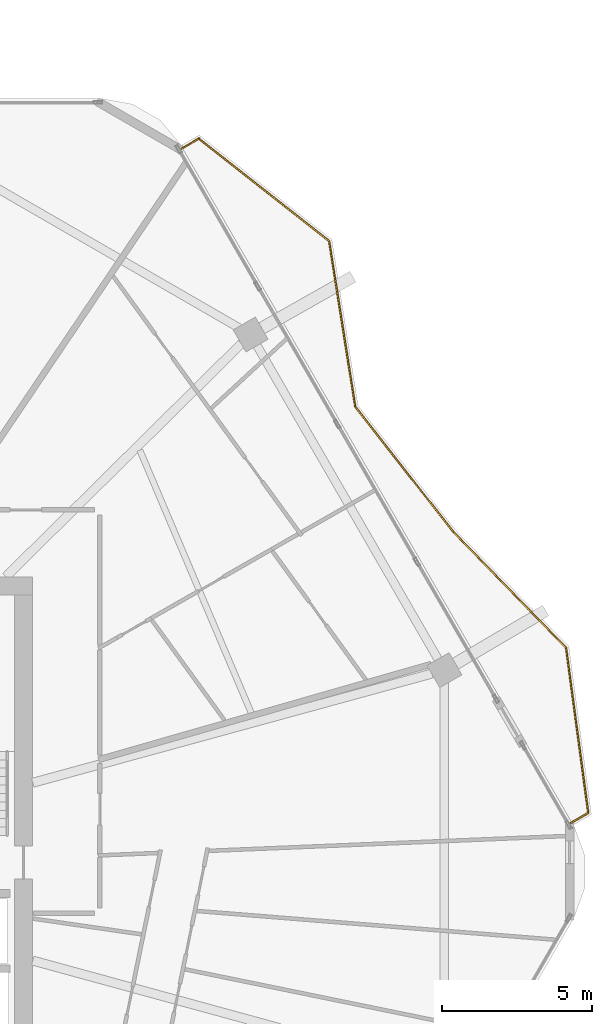
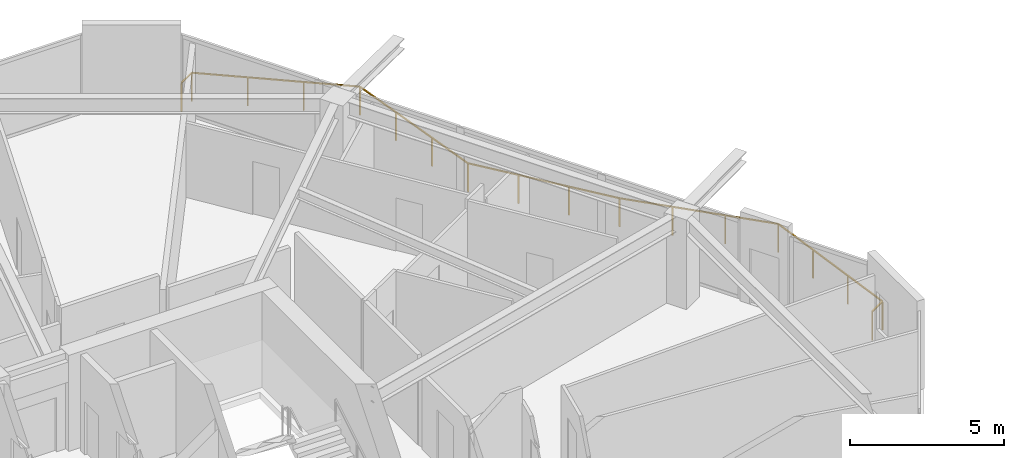
# One storey, part 26 of 26: 1 railing.
"""IFC4 building model written with IfcOpenShell, lengths in metres."""

from ifc_helpers import new_model, si_unit, direction, frame, origin, origin_2d, place, context, subcontext, project, spatial, rectangle, extrude, material, type_object, element, save


model = new_model("IFC4")

# Units and contexts
model_context = context("Model", 3, precision=1e-05, world=origin(), true_north=direction((0.0, 1.0)))
body_context = subcontext(model_context, "Body", "Model", "MODEL_VIEW")
ifc_project = project(units=[si_unit("LENGTHUNIT", "METRE"), si_unit("AREAUNIT", "SQUARE_METRE"), si_unit("VOLUMEUNIT", "CUBIC_METRE"), si_unit("PLANEANGLEUNIT", "RADIAN"), si_unit("MASSUNIT", "GRAM", prefix="KILO")], contexts=[model_context])

# Site, building, storey
site_placement = place(None, origin())
site = spatial("IfcSite", under=ifc_project, at=site_placement, CompositionType="ELEMENT")
building_placement = place(site_placement, origin())
building = spatial("IfcBuilding", under=site, at=building_placement, Name="Zuhravey Tower", CompositionType="ELEMENT")
storey_placement = place(building_placement, frame((0.0, 0.0, 295.800048828125)))
storey = spatial("IfcBuildingStorey", under=building, at=storey_placement, Name="L75", CompositionType="ELEMENT", Elevation=295.800048828125)

# Railing
ifc_material = material(Name="Stainless steel 316 and laminated glass", Category="steel")
railing_type = type_object("IfcRailingType", Name="Balcony & Terrace Guardrail 1150", PredefinedType="BALUSTRADE", material=ifc_material)
railing_placement = place(storey_placement, frame((51.74169921875, 56.031982421875, 0.0)))
element("IfcRailing", 1, at=railing_placement, inside=storey, type_object=railing_type, Name="L75 Face 1 Wave Balcony Guardrail GR1", PredefinedType="BALUSTRADE", context=body_context, shape_type="SweptSolid", body=[
    extrude(rectangle(XDim=0.048095703125, YDim=0.048095703125, at=origin_2d()), frame((0.001708984375, 0.0009765625, 1.1259765625), z_axis=(0.865931497966, 0.500162614387, 0.0), x_axis=(-0.500162614387, 0.865931497966, 0.0)), (0.0, 0.0, 1.0), 0.668212890625),
    extrude(rectangle(XDim=0.048095703125, YDim=0.048095703125, at=origin_2d()), frame((0.58349609375, 0.3349609375, 1.1259765625), z_axis=(0.785703061159, -0.618603830966, 0.0), x_axis=(0.618603830966, 0.785703061159, 0.0)), (0.0, 0.0, 1.0), 5.507080078125),
    extrude(rectangle(XDim=0.048095703125, YDim=0.048095703125, at=origin_2d()), frame((4.912353515625, -3.074951171875, 1.1259765625), z_axis=(0.155879378869, -0.987776097728, 0.0), x_axis=(0.987776097728, 0.155879378869, 0.0)), (0.0, 0.0, 1.0), 5.57177734375),
    extrude(rectangle(XDim=0.048095703125, YDim=0.048095703125, at=origin_2d()), frame((5.782470703125, -8.58203125, 1.1259765625), z_axis=(0.616816111332, -0.787107289257, 0.0), x_axis=(0.787107289257, 0.616816111332, 0.0)), (0.0, 0.0, 1.0), 5.296142578125),
    extrude(rectangle(XDim=0.048095703125, YDim=0.048095703125, at=origin_2d()), frame((9.052001953125, -12.75390625, 1.1259765625), z_axis=(0.697744170249, -0.716347033835, 0.0), x_axis=(0.716347033835, 0.697744170249, 0.0)), (0.0, 0.0, 1.0), 5.3505859375),
    extrude(rectangle(XDim=0.048095703125, YDim=0.048095703125, at=origin_2d()), frame((12.786865234375, -16.590087890625, 1.1259765625), z_axis=(0.133173947443, -0.991092679684, 0.0), x_axis=(0.991092679684, 0.133173947443, 0.0)), (0.0, 0.0, 1.0), 5.5361328125),
    extrude(rectangle(XDim=0.048095703125, YDim=0.048095703125, at=origin_2d()), frame((13.522705078125, -22.079833984375, 1.1259765625), z_axis=(-0.866137275136, -0.499806183056, 0.0), x_axis=(0.499806183056, -0.866137275136, 0.0)), (0.0, 0.0, 1.0), 0.669189453125),
    extrude(rectangle(XDim=0.0419921875, YDim=0.0419921875, at=origin_2d()), origin(), (0.0, 0.0, 1.0), 1.099853515625),
    extrude(rectangle(XDim=0.0419921875, YDim=0.0419921875, at=origin_2d()), frame((0.58203125, 0.336181640625, 0.0)), (0.0, 0.0, 1.0), 1.099853515625),
    extrude(rectangle(XDim=0.0419921875, YDim=0.0419921875, at=origin_2d()), frame((2.025390625, -0.80029296875, 0.0)), (0.0, 0.0, 1.0), 1.099853515625),
    extrude(rectangle(XDim=0.0419921875, YDim=0.0419921875, at=origin_2d()), frame((3.46875, -1.9365234375, 0.0)), (0.0, 0.0, 1.0), 1.099853515625),
    extrude(rectangle(XDim=0.0419921875, YDim=0.0419921875, at=origin_2d()), frame((4.912109375, -3.072998046875, 0.0)), (0.0, 0.0, 1.0), 1.099853515625),
    extrude(rectangle(XDim=0.0419921875, YDim=0.0419921875, at=origin_2d()), frame((5.201904296875, -4.908935546875, 0.0)), (0.0, 0.0, 1.0), 1.099853515625),
    extrude(rectangle(XDim=0.0419921875, YDim=0.0419921875, at=origin_2d()), frame((5.491455078125, -6.74462890625, 0.0)), (0.0, 0.0, 1.0), 1.099853515625),
    extrude(rectangle(XDim=0.0419921875, YDim=0.0419921875, at=origin_2d()), frame((5.78125, -8.58056640625, 0.0)), (0.0, 0.0, 1.0), 1.099853515625),
    extrude(rectangle(XDim=0.0419921875, YDim=0.0419921875, at=origin_2d()), frame((6.87109375, -9.97119140625, 0.0)), (0.0, 0.0, 1.0), 1.099853515625),
    extrude(rectangle(XDim=0.0419921875, YDim=0.0419921875, at=origin_2d()), frame((7.960693359375, -11.36181640625, 0.0)), (0.0, 0.0, 1.0), 1.099853515625),
    extrude(rectangle(XDim=0.0419921875, YDim=0.0419921875, at=origin_2d()), frame((9.050537109375, -12.75244140625, 0.0)), (0.0, 0.0, 1.0), 1.099853515625),
    extrude(rectangle(XDim=0.0419921875, YDim=0.0419921875, at=origin_2d()), frame((10.2958984375, -14.031005859375, 0.0)), (0.0, 0.0, 1.0), 1.099853515625),
    extrude(rectangle(XDim=0.0419921875, YDim=0.0419921875, at=origin_2d()), frame((11.541259765625, -15.3095703125, 0.0)), (0.0, 0.0, 1.0), 1.099853515625),
    extrude(rectangle(XDim=0.0419921875, YDim=0.0419921875, at=origin_2d()), frame((12.78662109375, -16.588134765625, 0.0)), (0.0, 0.0, 1.0), 1.099853515625),
    extrude(rectangle(XDim=0.0419921875, YDim=0.0419921875, at=origin_2d()), frame((13.032470703125, -18.41845703125, 0.0)), (0.0, 0.0, 1.0), 1.099853515625),
    extrude(rectangle(XDim=0.0419921875, YDim=0.0419921875, at=origin_2d()), frame((13.278564453125, -20.24853515625, 0.0)), (0.0, 0.0, 1.0), 1.099853515625),
    extrude(rectangle(XDim=0.0419921875, YDim=0.0419921875, at=origin_2d()), frame((13.5244140625, -22.078857421875, 0.0)), (0.0, 0.0, 1.0), 1.099853515625),
    extrude(rectangle(XDim=0.0419921875, YDim=0.0419921875, at=origin_2d()), frame((12.94140625, -22.415283203125, 0.0)), (0.0, 0.0, 1.0), 1.099853515625),
])

save(model, "model.ifc")
